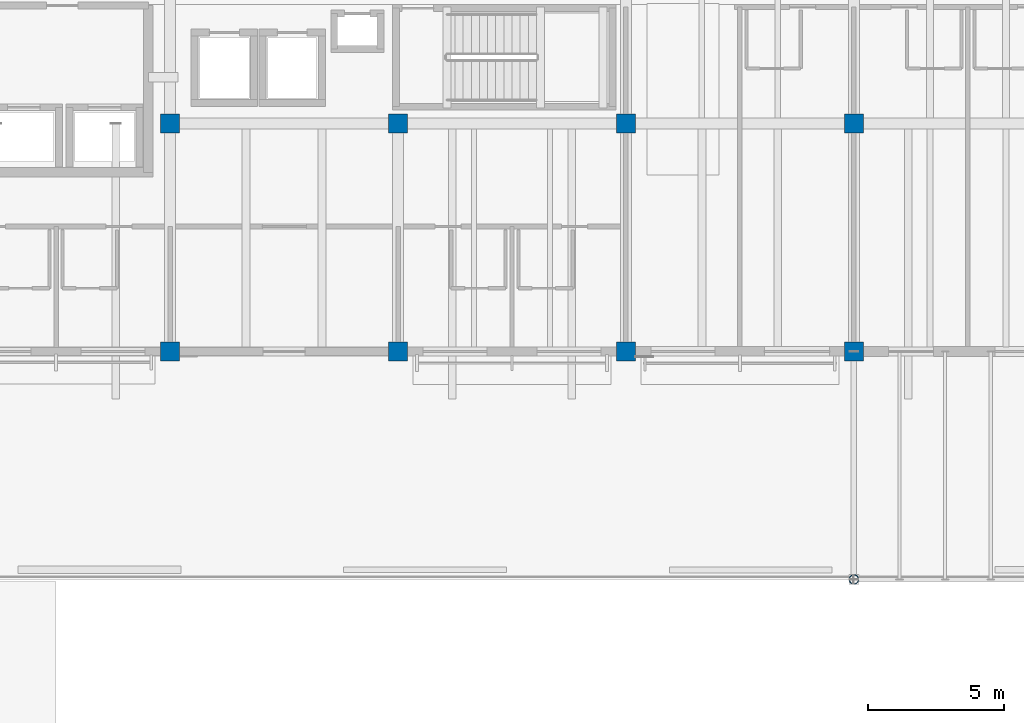
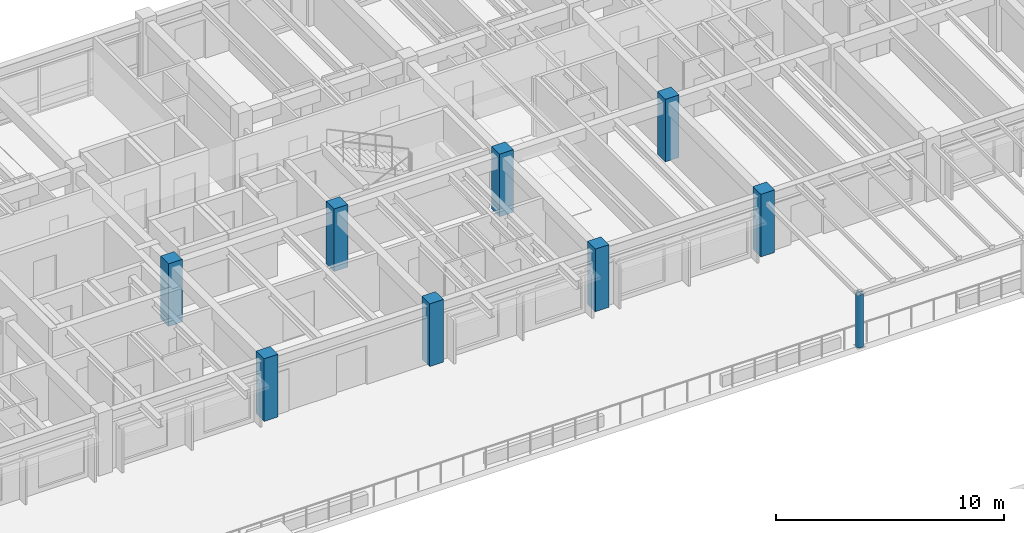
# One storey, part 3 of 111: 9 columns.
"""IFC4 building model written with IfcOpenShell, lengths in metres."""

from ifc_helpers import new_model, si_unit, direction, frame, origin, origin_2d, place, context, subcontext, project, spatial, rectangle, hollow_circle, extrude, material, material_profile, profile_set, type_object, element, save


model = new_model("IFC4")

# Units and contexts
model_context = context("Model", 3, precision=1e-05, world=origin(), true_north=direction((0.0, 1.0)))
body_context = subcontext(model_context, "Body", "Model", "MODEL_VIEW")
ifc_project = project(units=[si_unit("LENGTHUNIT", "METRE"), si_unit("AREAUNIT", "SQUARE_METRE"), si_unit("VOLUMEUNIT", "CUBIC_METRE"), si_unit("PLANEANGLEUNIT", "RADIAN"), si_unit("MASSUNIT", "GRAM", prefix="KILO")], contexts=[model_context])

# Site, building, storey
site_placement = place(None, origin())
site = spatial("IfcSite", under=ifc_project, at=site_placement, CompositionType="ELEMENT")
building_placement = place(site_placement, origin())
building = spatial("IfcBuilding", under=site, at=building_placement, Name="Cumbredor Promenade Congress Hotel", CompositionType="ELEMENT")
storey_placement = place(building_placement, frame((0.0, 0.0, 15.1201171875)))
storey = spatial("IfcBuildingStorey", under=building, at=storey_placement, Name="L04", CompositionType="ELEMENT", Elevation=15.1201171875)

# Columns
ifc_material_1 = material(Name="Concrete C40/50", Category="concrete")
ifc_material_profile_1 = material_profile(ifc_material_1, rectangle(XDim=0.699951171875, YDim=0.699951171875, at=origin_2d()), Name="RC 700x700")
ifc_profile_set_1 = profile_set([ifc_material_profile_1], Name="Concrete C40/50")
column_type_1 = type_object("IfcColumnType", Name="COL-RC-700", PredefinedType="COLUMN", material=ifc_profile_set_1)
for number, where, z_axis, x_axis, name in (
    (1, (33.60009765625, 92.39990234375, 0.0), (0.0, 0.0, 1.0), (1.0, 0.0, 0.0), "L04 Structural Column 041"),
    (2, (33.60009765625, 100.800048828125, 0.0), (0.0, 0.0, 1.0), (1.0, 0.0, 0.0), "L04 Structural Column 042"),
    (3, (42.0, 92.39990234375, 0.0), (0.0, 0.0, 1.0), (1.0, 0.0, 0.0), "L04 Structural Column 049"),
    (4, (42.0, 100.800048828125, 0.0), (0.0, 0.0, 1.0), (1.0, 0.0, 0.0), "L04 Structural Column 050"),
    (5, (50.39990234375, 92.39990234375, 0.0), (0.0, 0.0, 1.0), (1.0, 0.0, 0.0), "L04 Structural Column 057"),
    (6, (50.39990234375, 100.800048828125, 0.0), (0.0, 0.0, 1.0), (1.0, 0.0, 0.0), "L04 Structural Column 058"),
    (7, (58.800048828125, 92.39990234375, 0.0), (0.0, 0.0, 1.0), (1.0, 0.0, 0.0), "L04 Structural Column 069"),
    (8, (58.800048828125, 100.800048828125, 0.0), (0.0, 0.0, 1.0), (1.0, 0.0, 0.0), "L04 Structural Column 070"),
):
    element("IfcColumn", number, at=place(storey_placement, frame(where, z_axis=z_axis, x_axis=x_axis)), inside=storey, type_object=column_type_1, Name=name, PredefinedType="COLUMN", context=body_context, shape_type="SweptSolid", body=[
        extrude(rectangle(XDim=0.699951171875, YDim=0.699951171875, at=origin_2d()), origin(), (0.0, 0.0, 1.0), 3.35986328125),
    ])
ifc_material_2 = material(Name="Steel ASTM A500 Grade C", Category="steel")
ifc_material_profile_2 = material_profile(ifc_material_2, hollow_circle(Radius=0.177734375, WallThickness=0.01611328125, at=origin_2d()), Name="CHS 355.6x16")
ifc_profile_set_2 = profile_set([ifc_material_profile_2], Name="Steel ASTM A500 Grade C")
column_type_2 = type_object("IfcColumnType", Name="COL-STL-CHS355", PredefinedType="COLUMN", material=ifc_profile_set_2)
column_placement = place(storey_placement, frame((58.800048828125, 84.0, 0.0048828125), z_axis=(0.0, 0.0, 1.0), x_axis=(1.0, 0.0, 0.0)))
element("IfcColumn", 9, at=column_placement, inside=storey, type_object=column_type_2, Name="L04 Sky-Garden Pergola Post 2.1", PredefinedType="COLUMN", context=body_context, shape_type="SweptSolid", body=[
    extrude(hollow_circle(Radius=0.177734375, WallThickness=0.01611328125, at=origin_2d()), origin(), (0.0, 0.0, 1.0), 2.844970703125),
])

save(model, "model.ifc")
